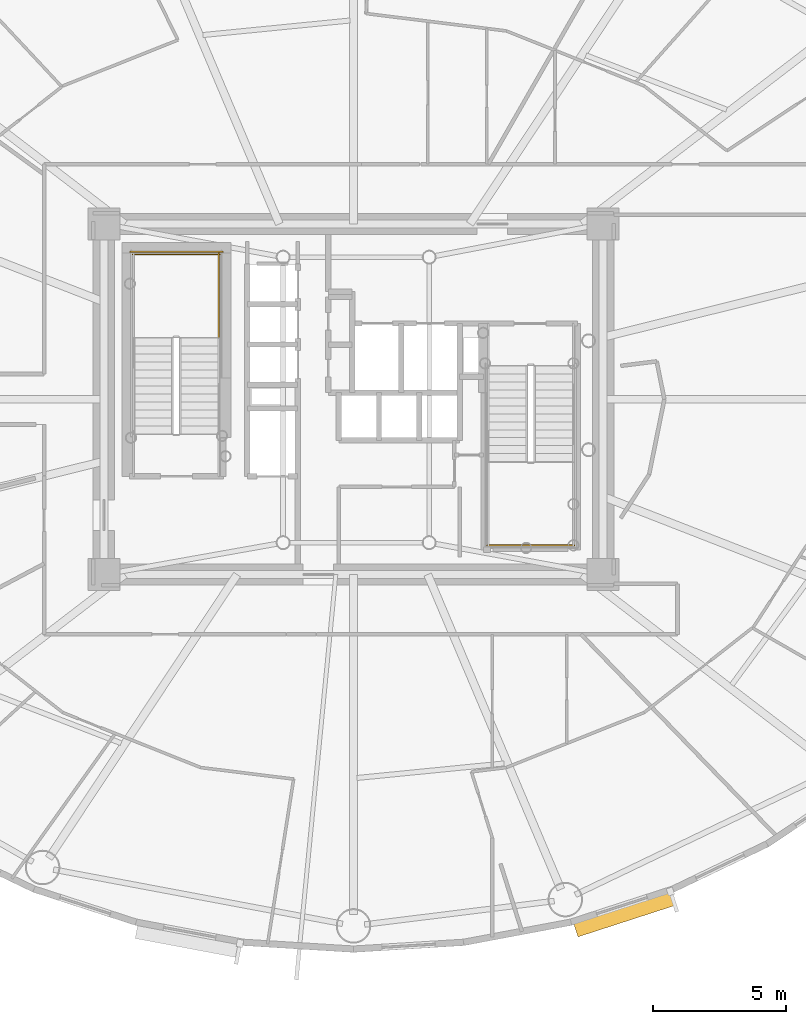
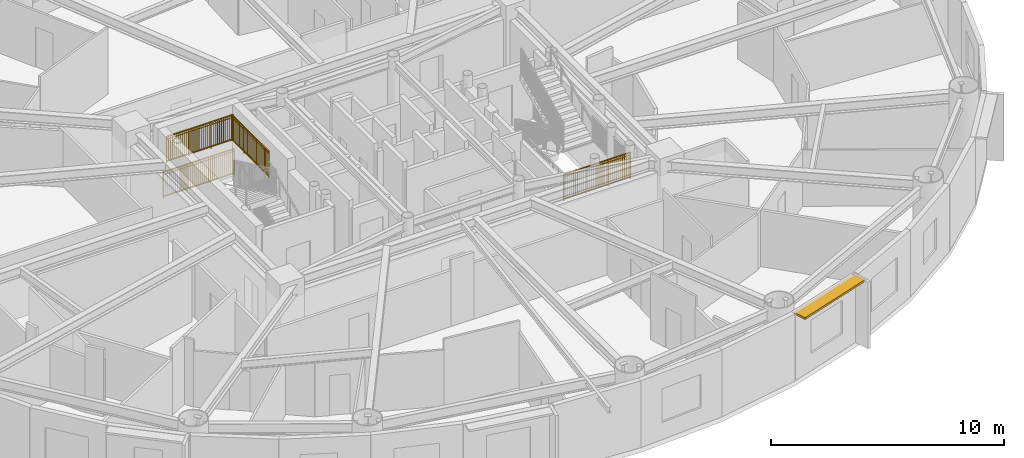
# One storey, part 15 of 17: 4 railings, 1 shading device.
"""IFC4 building model written with IfcOpenShell, lengths in metres."""

from ifc_helpers import new_model, si_unit, direction, frame, origin, origin_2d, place, context, subcontext, project, spatial, rectangle, extrude, source, transform, mapped, material, layer, layer_set, type_object, element, save


model = new_model("IFC4")

# Units and contexts
model_context = context("Model", 3, precision=1e-05, world=origin(), true_north=direction((0.0, 1.0)))
body_context = subcontext(model_context, "Body", "Model", "MODEL_VIEW")
ifc_project = project(units=[si_unit("LENGTHUNIT", "METRE"), si_unit("AREAUNIT", "SQUARE_METRE"), si_unit("VOLUMEUNIT", "CUBIC_METRE"), si_unit("PLANEANGLEUNIT", "RADIAN"), si_unit("MASSUNIT", "GRAM", prefix="KILO")], contexts=[model_context])

# Site, building, storey
site_placement = place(None, origin())
site = spatial("IfcSite", under=ifc_project, at=site_placement, CompositionType="ELEMENT")
building_placement = place(site_placement, origin())
building = spatial("IfcBuilding", under=site, at=building_placement, Name="Linh Dai School and Residence Tower", CompositionType="ELEMENT")
storey_placement = place(building_placement, frame((0.0, 0.0, 197.39990234375)))
storey = spatial("IfcBuildingStorey", under=building, at=storey_placement, Name="L48", CompositionType="ELEMENT", Elevation=197.39990234375)

# Shading device
ifc_material_1 = material(Name="Terracotta Ceramic Sunshade", Category="masonry")
ifc_layer = layer(ifc_material_1, 0.10009765625)
ifc_layer_set = layer_set([ifc_layer], Name="Terracotta Ceramic Sunshade")
shading_device_type = type_object("IfcShadingDeviceType", Name="SHD-TC-650", PredefinedType="USERDEFINED", material=ifc_layer_set)
shared_shape_1 = source(origin(), body_context, "Body", "SweptSolid", [
    extrude(rectangle(XDim=3.876220703125, YDim=0.64990234375, at=origin_2d()), origin(), (0.0, 0.0, 1.0), 0.10009765625),
])
shading_device_placement = place(storey_placement, frame((46.197265625, 7.662353515625, 3.380126953125), z_axis=(0.0, 0.0, 1.0), x_axis=(-0.951212761419, -0.308535707031, 0.0)))
element("IfcShadingDevice", 1, at=shading_device_placement, inside=storey, type_object=shading_device_type, Name="L48 Terracotta Horizontal Sunshade Band 33", ObjectType="SUNSHADE", PredefinedType="USERDEFINED", context=body_context, shape_type="MappedRepresentation", body=[
    mapped(shared_shape_1, transform((0.0, 0.0, 0.0), x_axis=(1.0, 0.0, 0.0), y_axis=(0.0, 1.0, 0.0), z_axis=(0.0, 0.0, 1.0), scale=1.0)),
])

# Railings
ifc_material_2 = material(Name="Structural Steel S355JR", Category="steel")
railing_type = type_object("IfcRailingType", Name="RL-ST-GUARD-1400", PredefinedType="GUARDRAIL", material=ifc_material_2)
shared_shape_2 = source(origin(), body_context, "Body", "SweptSolid", [
    extrude(rectangle(XDim=0.048095703125, YDim=0.048095703125, at=origin_2d()), frame((0.0, 0.0, 1.3759765625), z_axis=(-1.0, 0.0, 0.0), x_axis=(0.0, -1.0, 0.0)), (0.0, 0.0, 1.0), 3.300048828125),
    extrude(rectangle(XDim=0.048095703125, YDim=0.048095703125, at=origin_2d()), frame((0.0, 0.0, 0.10009765625), z_axis=(-1.0, 0.0, 0.0), x_axis=(0.0, -1.0, 0.0)), (0.0, 0.0, 1.0), 3.300048828125),
    extrude(rectangle(XDim=0.030029296875, YDim=0.030029296875, at=origin_2d()), frame((0.0, 0.0, 1.239990234375), z_axis=(-1.0, 0.0, 0.0), x_axis=(0.0, -1.0, 0.0)), (0.0, 0.0, 1.0), 3.300048828125),
    extrude(rectangle(XDim=0.02001953125, YDim=0.02001953125, at=origin_2d()), frame((-0.09716796875, 0.0, 0.10009765625)), (0.0, 0.0, 1.0), 1.251708984375),
    extrude(rectangle(XDim=0.02001953125, YDim=0.02001953125, at=origin_2d()), frame((-0.194091796875, 0.0, 0.10009765625)), (0.0, 0.0, 1.0), 1.251708984375),
    extrude(rectangle(XDim=0.02001953125, YDim=0.02001953125, at=origin_2d()), frame((-0.291259765625, 0.0, 0.10009765625)), (0.0, 0.0, 1.0), 1.251708984375),
    extrude(rectangle(XDim=0.02001953125, YDim=0.02001953125, at=origin_2d()), frame((-0.38818359375, 0.0, 0.10009765625)), (0.0, 0.0, 1.0), 1.251708984375),
    extrude(rectangle(XDim=0.02001953125, YDim=0.02001953125, at=origin_2d()), frame((-0.4853515625, 0.0, 0.10009765625)), (0.0, 0.0, 1.0), 1.251708984375),
    extrude(rectangle(XDim=0.02001953125, YDim=0.02001953125, at=origin_2d()), frame((-0.582275390625, 0.0, 0.10009765625)), (0.0, 0.0, 1.0), 1.251708984375),
    extrude(rectangle(XDim=0.02001953125, YDim=0.02001953125, at=origin_2d()), frame((-0.679443359375, 0.0, 0.10009765625)), (0.0, 0.0, 1.0), 1.251708984375),
    extrude(rectangle(XDim=0.02001953125, YDim=0.02001953125, at=origin_2d()), frame((-0.7763671875, 0.0, 0.10009765625)), (0.0, 0.0, 1.0), 1.251708984375),
    extrude(rectangle(XDim=0.02001953125, YDim=0.02001953125, at=origin_2d()), frame((-0.87353515625, 0.0, 0.10009765625)), (0.0, 0.0, 1.0), 1.251708984375),
    extrude(rectangle(XDim=0.02001953125, YDim=0.02001953125, at=origin_2d()), frame((-0.970703125, 0.0, 0.10009765625)), (0.0, 0.0, 1.0), 1.251708984375),
    extrude(rectangle(XDim=0.02001953125, YDim=0.02001953125, at=origin_2d()), frame((-1.164794921875, 0.0, 0.10009765625)), (0.0, 0.0, 1.0), 1.251708984375),
    extrude(rectangle(XDim=0.02001953125, YDim=0.02001953125, at=origin_2d()), frame((-1.26171875, 0.0, 0.10009765625)), (0.0, 0.0, 1.0), 1.251708984375),
    extrude(rectangle(XDim=0.02001953125, YDim=0.02001953125, at=origin_2d()), frame((-1.35888671875, 0.0, 0.10009765625)), (0.0, 0.0, 1.0), 1.251708984375),
    extrude(rectangle(XDim=0.02001953125, YDim=0.02001953125, at=origin_2d()), frame((-1.455810546875, 0.0, 0.10009765625)), (0.0, 0.0, 1.0), 1.251708984375),
    extrude(rectangle(XDim=0.02001953125, YDim=0.02001953125, at=origin_2d()), frame((-1.552978515625, 0.0, 0.10009765625)), (0.0, 0.0, 1.0), 1.251708984375),
    extrude(rectangle(XDim=0.02001953125, YDim=0.02001953125, at=origin_2d()), frame((-1.64990234375, 0.0, 0.10009765625)), (0.0, 0.0, 1.0), 1.251708984375),
    extrude(rectangle(XDim=0.02001953125, YDim=0.02001953125, at=origin_2d()), frame((-1.7470703125, 0.0, 0.10009765625)), (0.0, 0.0, 1.0), 1.251708984375),
    extrude(rectangle(XDim=0.02001953125, YDim=0.02001953125, at=origin_2d()), frame((-1.84423828125, 0.0, 0.10009765625)), (0.0, 0.0, 1.0), 1.251708984375),
    extrude(rectangle(XDim=0.02001953125, YDim=0.02001953125, at=origin_2d()), frame((-1.941162109375, 0.0, 0.10009765625)), (0.0, 0.0, 1.0), 1.251708984375),
    extrude(rectangle(XDim=0.02001953125, YDim=0.02001953125, at=origin_2d()), frame((-2.038330078125, 0.0, 0.10009765625)), (0.0, 0.0, 1.0), 1.251708984375),
    extrude(rectangle(XDim=0.02001953125, YDim=0.02001953125, at=origin_2d()), frame((-2.13525390625, 0.0, 0.10009765625)), (0.0, 0.0, 1.0), 1.251708984375),
    extrude(rectangle(XDim=0.02001953125, YDim=0.02001953125, at=origin_2d()), frame((-2.329345703125, 0.0, 0.10009765625)), (0.0, 0.0, 1.0), 1.251708984375),
    extrude(rectangle(XDim=0.02001953125, YDim=0.02001953125, at=origin_2d()), frame((-2.426513671875, 0.0, 0.10009765625)), (0.0, 0.0, 1.0), 1.251708984375),
    extrude(rectangle(XDim=0.02001953125, YDim=0.02001953125, at=origin_2d()), frame((-2.523681640625, 0.0, 0.10009765625)), (0.0, 0.0, 1.0), 1.251708984375),
    extrude(rectangle(XDim=0.02001953125, YDim=0.02001953125, at=origin_2d()), frame((-2.62060546875, 0.0, 0.10009765625)), (0.0, 0.0, 1.0), 1.251708984375),
    extrude(rectangle(XDim=0.02001953125, YDim=0.02001953125, at=origin_2d()), frame((-2.7177734375, 0.0, 0.10009765625)), (0.0, 0.0, 1.0), 1.251708984375),
    extrude(rectangle(XDim=0.02001953125, YDim=0.02001953125, at=origin_2d()), frame((-2.814697265625, 0.0, 0.10009765625)), (0.0, 0.0, 1.0), 1.251708984375),
    extrude(rectangle(XDim=0.02001953125, YDim=0.02001953125, at=origin_2d()), frame((-2.911865234375, 0.0, 0.10009765625)), (0.0, 0.0, 1.0), 1.251708984375),
    extrude(rectangle(XDim=0.02001953125, YDim=0.02001953125, at=origin_2d()), frame((-3.0087890625, 0.0, 0.10009765625)), (0.0, 0.0, 1.0), 1.251708984375),
    extrude(rectangle(XDim=0.02001953125, YDim=0.02001953125, at=origin_2d()), frame((-3.10595703125, 0.0, 0.10009765625)), (0.0, 0.0, 1.0), 1.251708984375),
    extrude(rectangle(XDim=0.02001953125, YDim=0.02001953125, at=origin_2d()), frame((-3.202880859375, 0.0, 0.10009765625)), (0.0, 0.0, 1.0), 1.251708984375),
    extrude(rectangle(XDim=0.0419921875, YDim=0.0419921875, at=origin_2d()), origin(), (0.0, 0.0, 1.0), 1.3759765625),
    extrude(rectangle(XDim=0.0419921875, YDim=0.0419921875, at=origin_2d()), frame((-1.10009765625, 0.0, 0.0)), (0.0, 0.0, 1.0), 1.3759765625),
    extrude(rectangle(XDim=0.0419921875, YDim=0.0419921875, at=origin_2d()), frame((-2.199951171875, 0.0, 0.0)), (0.0, 0.0, 1.0), 1.3759765625),
    extrude(rectangle(XDim=0.0419921875, YDim=0.0419921875, at=origin_2d()), frame((-3.300048828125, 0.0, 0.0)), (0.0, 0.0, 1.0), 1.3759765625),
])
railing_1_placement = place(storey_placement, frame((30.97998046875, 32.449951171875, 1.875)))
element("IfcRailing", 2, at=railing_1_placement, inside=storey, type_object=railing_type, Name="L48 ST1 stair guard 5", PredefinedType="GUARDRAIL", context=body_context, shape_type="MappedRepresentation", body=[
    mapped(shared_shape_2, transform((0.0, 0.0, 0.0), x_axis=(1.0, 0.0, 0.0), y_axis=(0.0, 1.0, 0.0), z_axis=(0.0, 0.0, 1.0), scale=1.0)),
])
shared_shape_3 = source(origin(), body_context, "Body", "SweptSolid", [
    extrude(rectangle(XDim=0.048095703125, YDim=0.048095703125, at=origin_2d()), frame((0.0, 0.0, 1.3759765625), z_axis=(-1.0, 0.0, 0.0), x_axis=(0.0, -1.0, 0.0)), (0.0, 0.0, 1.0), 3.5),
    extrude(rectangle(XDim=0.048095703125, YDim=0.048095703125, at=origin_2d()), frame((0.0, 0.0, 0.10009765625), z_axis=(-1.0, 0.0, 0.0), x_axis=(0.0, -1.0, 0.0)), (0.0, 0.0, 1.0), 3.5),
    extrude(rectangle(XDim=0.030029296875, YDim=0.030029296875, at=origin_2d()), frame((0.0, 0.0, 1.239990234375), z_axis=(-1.0, 0.0, 0.0), x_axis=(0.0, -1.0, 0.0)), (0.0, 0.0, 1.0), 3.5),
    extrude(rectangle(XDim=0.02001953125, YDim=0.02001953125, at=origin_2d()), frame((-0.09716796875, 0.0, 0.10009765625)), (0.0, 0.0, 1.0), 1.251708984375),
    extrude(rectangle(XDim=0.02001953125, YDim=0.02001953125, at=origin_2d()), frame((-0.1943359375, 0.0, 0.10009765625)), (0.0, 0.0, 1.0), 1.251708984375),
    extrude(rectangle(XDim=0.02001953125, YDim=0.02001953125, at=origin_2d()), frame((-0.291748046875, 0.0, 0.10009765625)), (0.0, 0.0, 1.0), 1.251708984375),
    extrude(rectangle(XDim=0.02001953125, YDim=0.02001953125, at=origin_2d()), frame((-0.388916015625, 0.0, 0.10009765625)), (0.0, 0.0, 1.0), 1.251708984375),
    extrude(rectangle(XDim=0.02001953125, YDim=0.02001953125, at=origin_2d()), frame((-0.486083984375, 0.0, 0.10009765625)), (0.0, 0.0, 1.0), 1.251708984375),
    extrude(rectangle(XDim=0.02001953125, YDim=0.02001953125, at=origin_2d()), frame((-0.583251953125, 0.0, 0.10009765625)), (0.0, 0.0, 1.0), 1.251708984375),
    extrude(rectangle(XDim=0.02001953125, YDim=0.02001953125, at=origin_2d()), frame((-0.6806640625, 0.0, 0.10009765625)), (0.0, 0.0, 1.0), 1.251708984375),
    extrude(rectangle(XDim=0.02001953125, YDim=0.02001953125, at=origin_2d()), frame((-0.77783203125, 0.0, 0.10009765625)), (0.0, 0.0, 1.0), 1.251708984375),
    extrude(rectangle(XDim=0.02001953125, YDim=0.02001953125, at=origin_2d()), frame((-0.875, 0.0, 0.10009765625)), (0.0, 0.0, 1.0), 1.251708984375),
    extrude(rectangle(XDim=0.02001953125, YDim=0.02001953125, at=origin_2d()), frame((-0.97216796875, 0.0, 0.10009765625)), (0.0, 0.0, 1.0), 1.251708984375),
    extrude(rectangle(XDim=0.02001953125, YDim=0.02001953125, at=origin_2d()), frame((-1.0693359375, 0.0, 0.10009765625)), (0.0, 0.0, 1.0), 1.251708984375),
    extrude(rectangle(XDim=0.02001953125, YDim=0.02001953125, at=origin_2d()), frame((-1.263916015625, 0.0, 0.10009765625)), (0.0, 0.0, 1.0), 1.251708984375),
    extrude(rectangle(XDim=0.02001953125, YDim=0.02001953125, at=origin_2d()), frame((-1.361083984375, 0.0, 0.10009765625)), (0.0, 0.0, 1.0), 1.251708984375),
    extrude(rectangle(XDim=0.02001953125, YDim=0.02001953125, at=origin_2d()), frame((-1.458251953125, 0.0, 0.10009765625)), (0.0, 0.0, 1.0), 1.251708984375),
    extrude(rectangle(XDim=0.02001953125, YDim=0.02001953125, at=origin_2d()), frame((-1.5556640625, 0.0, 0.10009765625)), (0.0, 0.0, 1.0), 1.251708984375),
    extrude(rectangle(XDim=0.02001953125, YDim=0.02001953125, at=origin_2d()), frame((-1.65283203125, 0.0, 0.10009765625)), (0.0, 0.0, 1.0), 1.251708984375),
    extrude(rectangle(XDim=0.02001953125, YDim=0.02001953125, at=origin_2d()), frame((-1.75, 0.0, 0.10009765625)), (0.0, 0.0, 1.0), 1.251708984375),
    extrude(rectangle(XDim=0.02001953125, YDim=0.02001953125, at=origin_2d()), frame((-1.84716796875, 0.0, 0.10009765625)), (0.0, 0.0, 1.0), 1.251708984375),
    extrude(rectangle(XDim=0.02001953125, YDim=0.02001953125, at=origin_2d()), frame((-1.9443359375, 0.0, 0.10009765625)), (0.0, 0.0, 1.0), 1.251708984375),
    extrude(rectangle(XDim=0.02001953125, YDim=0.02001953125, at=origin_2d()), frame((-2.041748046875, 0.0, 0.10009765625)), (0.0, 0.0, 1.0), 1.251708984375),
    extrude(rectangle(XDim=0.02001953125, YDim=0.02001953125, at=origin_2d()), frame((-2.138916015625, 0.0, 0.10009765625)), (0.0, 0.0, 1.0), 1.251708984375),
    extrude(rectangle(XDim=0.02001953125, YDim=0.02001953125, at=origin_2d()), frame((-2.236083984375, 0.0, 0.10009765625)), (0.0, 0.0, 1.0), 1.251708984375),
    extrude(rectangle(XDim=0.02001953125, YDim=0.02001953125, at=origin_2d()), frame((-2.4306640625, 0.0, 0.10009765625)), (0.0, 0.0, 1.0), 1.251708984375),
    extrude(rectangle(XDim=0.02001953125, YDim=0.02001953125, at=origin_2d()), frame((-2.52783203125, 0.0, 0.10009765625)), (0.0, 0.0, 1.0), 1.251708984375),
    extrude(rectangle(XDim=0.02001953125, YDim=0.02001953125, at=origin_2d()), frame((-2.625, 0.0, 0.10009765625)), (0.0, 0.0, 1.0), 1.251708984375),
    extrude(rectangle(XDim=0.02001953125, YDim=0.02001953125, at=origin_2d()), frame((-2.72216796875, 0.0, 0.10009765625)), (0.0, 0.0, 1.0), 1.251708984375),
    extrude(rectangle(XDim=0.02001953125, YDim=0.02001953125, at=origin_2d()), frame((-2.8193359375, 0.0, 0.10009765625)), (0.0, 0.0, 1.0), 1.251708984375),
    extrude(rectangle(XDim=0.02001953125, YDim=0.02001953125, at=origin_2d()), frame((-2.916748046875, 0.0, 0.10009765625)), (0.0, 0.0, 1.0), 1.251708984375),
    extrude(rectangle(XDim=0.02001953125, YDim=0.02001953125, at=origin_2d()), frame((-3.013916015625, 0.0, 0.10009765625)), (0.0, 0.0, 1.0), 1.251708984375),
    extrude(rectangle(XDim=0.02001953125, YDim=0.02001953125, at=origin_2d()), frame((-3.111083984375, 0.0, 0.10009765625)), (0.0, 0.0, 1.0), 1.251708984375),
    extrude(rectangle(XDim=0.02001953125, YDim=0.02001953125, at=origin_2d()), frame((-3.208251953125, 0.0, 0.10009765625)), (0.0, 0.0, 1.0), 1.251708984375),
    extrude(rectangle(XDim=0.02001953125, YDim=0.02001953125, at=origin_2d()), frame((-3.3056640625, 0.0, 0.10009765625)), (0.0, 0.0, 1.0), 1.251708984375),
    extrude(rectangle(XDim=0.02001953125, YDim=0.02001953125, at=origin_2d()), frame((-3.40283203125, 0.0, 0.10009765625)), (0.0, 0.0, 1.0), 1.251708984375),
    extrude(rectangle(XDim=0.0419921875, YDim=0.0419921875, at=origin_2d()), origin(), (0.0, 0.0, 1.0), 1.3759765625),
    extrude(rectangle(XDim=0.0419921875, YDim=0.0419921875, at=origin_2d()), frame((-1.166748046875, 0.0, 0.0)), (0.0, 0.0, 1.0), 1.3759765625),
    extrude(rectangle(XDim=0.0419921875, YDim=0.0419921875, at=origin_2d()), frame((-2.333251953125, 0.0, 0.0)), (0.0, 0.0, 1.0), 1.3759765625),
    extrude(rectangle(XDim=0.0419921875, YDim=0.0419921875, at=origin_2d()), frame((-3.5, 0.0, 0.0)), (0.0, 0.0, 1.0), 1.3759765625),
])
railing_2_placement = place(storey_placement, frame((31.080078125, 32.550048828125, 0.0)))
element("IfcRailing", 3, at=railing_2_placement, inside=storey, type_object=railing_type, Name="L48 ST1 stair guard 12", PredefinedType="GUARDRAIL", context=body_context, shape_type="MappedRepresentation", body=[
    mapped(shared_shape_3, transform((0.0, 0.0, 0.0), x_axis=(1.0, 0.0, 0.0), y_axis=(0.0, 1.0, 0.0), z_axis=(0.0, 0.0, 1.0), scale=1.0)),
])
shared_shape_4 = source(origin(), body_context, "Body", "SweptSolid", [
    extrude(rectangle(XDim=0.048095703125, YDim=0.048095703125, at=origin_2d()), frame((0.0, 0.0, 1.3759765625), z_axis=(0.0, 1.0, 0.0), x_axis=(-1.0, 0.0, 0.0)), (0.0, 0.0, 1.0), 3.199951171875),
    extrude(rectangle(XDim=0.048095703125, YDim=0.048095703125, at=origin_2d()), frame((0.0, 0.0, 0.10009765625), z_axis=(0.0, 1.0, 0.0), x_axis=(-1.0, 0.0, 0.0)), (0.0, 0.0, 1.0), 3.199951171875),
    extrude(rectangle(XDim=0.030029296875, YDim=0.030029296875, at=origin_2d()), frame((0.0, 0.0, 1.239990234375), z_axis=(0.0, 1.0, 0.0), x_axis=(-1.0, 0.0, 0.0)), (0.0, 0.0, 1.0), 3.199951171875),
    extrude(rectangle(XDim=0.02001953125, YDim=0.02001953125, at=origin_2d()), frame((0.0, 0.096923828125, 0.10009765625)), (0.0, 0.0, 1.0), 1.251708984375),
    extrude(rectangle(XDim=0.02001953125, YDim=0.02001953125, at=origin_2d()), frame((0.0, 0.19384765625, 0.10009765625)), (0.0, 0.0, 1.0), 1.251708984375),
    extrude(rectangle(XDim=0.02001953125, YDim=0.02001953125, at=origin_2d()), frame((0.0, 0.291015625, 0.10009765625)), (0.0, 0.0, 1.0), 1.251708984375),
    extrude(rectangle(XDim=0.02001953125, YDim=0.02001953125, at=origin_2d()), frame((0.0, 0.387939453125, 0.10009765625)), (0.0, 0.0, 1.0), 1.251708984375),
    extrude(rectangle(XDim=0.02001953125, YDim=0.02001953125, at=origin_2d()), frame((0.0, 0.48486328125, 0.10009765625)), (0.0, 0.0, 1.0), 1.251708984375),
    extrude(rectangle(XDim=0.02001953125, YDim=0.02001953125, at=origin_2d()), frame((0.0, 0.581787109375, 0.10009765625)), (0.0, 0.0, 1.0), 1.251708984375),
    extrude(rectangle(XDim=0.02001953125, YDim=0.02001953125, at=origin_2d()), frame((0.0, 0.6787109375, 0.10009765625)), (0.0, 0.0, 1.0), 1.251708984375),
    extrude(rectangle(XDim=0.02001953125, YDim=0.02001953125, at=origin_2d()), frame((0.0, 0.775634765625, 0.10009765625)), (0.0, 0.0, 1.0), 1.251708984375),
    extrude(rectangle(XDim=0.02001953125, YDim=0.02001953125, at=origin_2d()), frame((0.0, 0.872802734375, 0.10009765625)), (0.0, 0.0, 1.0), 1.251708984375),
    extrude(rectangle(XDim=0.02001953125, YDim=0.02001953125, at=origin_2d()), frame((0.0, 0.9697265625, 0.10009765625)), (0.0, 0.0, 1.0), 1.251708984375),
    extrude(rectangle(XDim=0.02001953125, YDim=0.02001953125, at=origin_2d()), frame((0.0, 1.16357421875, 0.10009765625)), (0.0, 0.0, 1.0), 1.251708984375),
    extrude(rectangle(XDim=0.02001953125, YDim=0.02001953125, at=origin_2d()), frame((0.0, 1.260498046875, 0.10009765625)), (0.0, 0.0, 1.0), 1.251708984375),
    extrude(rectangle(XDim=0.02001953125, YDim=0.02001953125, at=origin_2d()), frame((0.0, 1.357666015625, 0.10009765625)), (0.0, 0.0, 1.0), 1.251708984375),
    extrude(rectangle(XDim=0.02001953125, YDim=0.02001953125, at=origin_2d()), frame((0.0, 1.45458984375, 0.10009765625)), (0.0, 0.0, 1.0), 1.251708984375),
    extrude(rectangle(XDim=0.02001953125, YDim=0.02001953125, at=origin_2d()), frame((0.0, 1.551513671875, 0.10009765625)), (0.0, 0.0, 1.0), 1.251708984375),
    extrude(rectangle(XDim=0.02001953125, YDim=0.02001953125, at=origin_2d()), frame((0.0, 1.6484375, 0.10009765625)), (0.0, 0.0, 1.0), 1.251708984375),
    extrude(rectangle(XDim=0.02001953125, YDim=0.02001953125, at=origin_2d()), frame((0.0, 1.745361328125, 0.10009765625)), (0.0, 0.0, 1.0), 1.251708984375),
    extrude(rectangle(XDim=0.02001953125, YDim=0.02001953125, at=origin_2d()), frame((0.0, 1.84228515625, 0.10009765625)), (0.0, 0.0, 1.0), 1.251708984375),
    extrude(rectangle(XDim=0.02001953125, YDim=0.02001953125, at=origin_2d()), frame((0.0, 1.939453125, 0.10009765625)), (0.0, 0.0, 1.0), 1.251708984375),
    extrude(rectangle(XDim=0.02001953125, YDim=0.02001953125, at=origin_2d()), frame((0.0, 2.036376953125, 0.10009765625)), (0.0, 0.0, 1.0), 1.251708984375),
    extrude(rectangle(XDim=0.02001953125, YDim=0.02001953125, at=origin_2d()), frame((0.0, 2.230224609375, 0.10009765625)), (0.0, 0.0, 1.0), 1.251708984375),
    extrude(rectangle(XDim=0.02001953125, YDim=0.02001953125, at=origin_2d()), frame((0.0, 2.3271484375, 0.10009765625)), (0.0, 0.0, 1.0), 1.251708984375),
    extrude(rectangle(XDim=0.02001953125, YDim=0.02001953125, at=origin_2d()), frame((0.0, 2.42431640625, 0.10009765625)), (0.0, 0.0, 1.0), 1.251708984375),
    extrude(rectangle(XDim=0.02001953125, YDim=0.02001953125, at=origin_2d()), frame((0.0, 2.521240234375, 0.10009765625)), (0.0, 0.0, 1.0), 1.251708984375),
    extrude(rectangle(XDim=0.02001953125, YDim=0.02001953125, at=origin_2d()), frame((0.0, 2.6181640625, 0.10009765625)), (0.0, 0.0, 1.0), 1.251708984375),
    extrude(rectangle(XDim=0.02001953125, YDim=0.02001953125, at=origin_2d()), frame((0.0, 2.715087890625, 0.10009765625)), (0.0, 0.0, 1.0), 1.251708984375),
    extrude(rectangle(XDim=0.02001953125, YDim=0.02001953125, at=origin_2d()), frame((0.0, 2.81201171875, 0.10009765625)), (0.0, 0.0, 1.0), 1.251708984375),
    extrude(rectangle(XDim=0.02001953125, YDim=0.02001953125, at=origin_2d()), frame((0.0, 2.908935546875, 0.10009765625)), (0.0, 0.0, 1.0), 1.251708984375),
    extrude(rectangle(XDim=0.02001953125, YDim=0.02001953125, at=origin_2d()), frame((0.0, 3.006103515625, 0.10009765625)), (0.0, 0.0, 1.0), 1.251708984375),
    extrude(rectangle(XDim=0.02001953125, YDim=0.02001953125, at=origin_2d()), frame((0.0, 3.10302734375, 0.10009765625)), (0.0, 0.0, 1.0), 1.251708984375),
    extrude(rectangle(XDim=0.0419921875, YDim=0.0419921875, at=origin_2d()), origin(), (0.0, 0.0, 1.0), 1.3759765625),
    extrude(rectangle(XDim=0.0419921875, YDim=0.0419921875, at=origin_2d()), frame((0.0, 1.066650390625, 0.0)), (0.0, 0.0, 1.0), 1.3759765625),
    extrude(rectangle(XDim=0.0419921875, YDim=0.0419921875, at=origin_2d()), frame((0.0, 2.13330078125, 0.0)), (0.0, 0.0, 1.0), 1.3759765625),
    extrude(rectangle(XDim=0.0419921875, YDim=0.0419921875, at=origin_2d()), frame((0.0, 3.199951171875, 0.0)), (0.0, 0.0, 1.0), 1.3759765625),
])
railing_3_placement = place(storey_placement, frame((30.929931640625, 29.300048828125, 1.875)))
element("IfcRailing", 4, at=railing_3_placement, inside=storey, type_object=railing_type, Name="L48 ST1 stair guard 3", PredefinedType="GUARDRAIL", context=body_context, shape_type="MappedRepresentation", body=[
    mapped(shared_shape_4, transform((0.0, 0.0, 0.0), x_axis=(1.0, 0.0, 0.0), y_axis=(0.0, 1.0, 0.0), z_axis=(0.0, 0.0, 1.0), scale=1.0)),
])
shared_shape_5 = source(origin(), body_context, "Body", "SweptSolid", [
    extrude(rectangle(XDim=0.048095703125, YDim=0.048095703125, at=origin_2d()), frame((0.0, 0.0, 1.3759765625), z_axis=(1.0, 0.0, 0.0), x_axis=(0.0, 1.0, 0.0)), (0.0, 0.0, 1.0), 3.300048828125),
    extrude(rectangle(XDim=0.048095703125, YDim=0.048095703125, at=origin_2d()), frame((0.0, 0.0, 0.10009765625), z_axis=(1.0, 0.0, 0.0), x_axis=(0.0, 1.0, 0.0)), (0.0, 0.0, 1.0), 3.300048828125),
    extrude(rectangle(XDim=0.030029296875, YDim=0.030029296875, at=origin_2d()), frame((0.0, 0.0, 1.239990234375), z_axis=(1.0, 0.0, 0.0), x_axis=(0.0, 1.0, 0.0)), (0.0, 0.0, 1.0), 3.300048828125),
    extrude(rectangle(XDim=0.02001953125, YDim=0.02001953125, at=origin_2d()), frame((0.09716796875, 0.0, 0.10009765625)), (0.0, 0.0, 1.0), 1.251708984375),
    extrude(rectangle(XDim=0.02001953125, YDim=0.02001953125, at=origin_2d()), frame((0.194091796875, 0.0, 0.10009765625)), (0.0, 0.0, 1.0), 1.251708984375),
    extrude(rectangle(XDim=0.02001953125, YDim=0.02001953125, at=origin_2d()), frame((0.291259765625, 0.0, 0.10009765625)), (0.0, 0.0, 1.0), 1.251708984375),
    extrude(rectangle(XDim=0.02001953125, YDim=0.02001953125, at=origin_2d()), frame((0.38818359375, 0.0, 0.10009765625)), (0.0, 0.0, 1.0), 1.251708984375),
    extrude(rectangle(XDim=0.02001953125, YDim=0.02001953125, at=origin_2d()), frame((0.4853515625, 0.0, 0.10009765625)), (0.0, 0.0, 1.0), 1.251708984375),
    extrude(rectangle(XDim=0.02001953125, YDim=0.02001953125, at=origin_2d()), frame((0.582275390625, 0.0, 0.10009765625)), (0.0, 0.0, 1.0), 1.251708984375),
    extrude(rectangle(XDim=0.02001953125, YDim=0.02001953125, at=origin_2d()), frame((0.679443359375, 0.0, 0.10009765625)), (0.0, 0.0, 1.0), 1.251708984375),
    extrude(rectangle(XDim=0.02001953125, YDim=0.02001953125, at=origin_2d()), frame((0.7763671875, 0.0, 0.10009765625)), (0.0, 0.0, 1.0), 1.251708984375),
    extrude(rectangle(XDim=0.02001953125, YDim=0.02001953125, at=origin_2d()), frame((0.87353515625, 0.0, 0.10009765625)), (0.0, 0.0, 1.0), 1.251708984375),
    extrude(rectangle(XDim=0.02001953125, YDim=0.02001953125, at=origin_2d()), frame((0.970703125, 0.0, 0.10009765625)), (0.0, 0.0, 1.0), 1.251708984375),
    extrude(rectangle(XDim=0.02001953125, YDim=0.02001953125, at=origin_2d()), frame((1.164794921875, 0.0, 0.10009765625)), (0.0, 0.0, 1.0), 1.251708984375),
    extrude(rectangle(XDim=0.02001953125, YDim=0.02001953125, at=origin_2d()), frame((1.26171875, 0.0, 0.10009765625)), (0.0, 0.0, 1.0), 1.251708984375),
    extrude(rectangle(XDim=0.02001953125, YDim=0.02001953125, at=origin_2d()), frame((1.35888671875, 0.0, 0.10009765625)), (0.0, 0.0, 1.0), 1.251708984375),
    extrude(rectangle(XDim=0.02001953125, YDim=0.02001953125, at=origin_2d()), frame((1.455810546875, 0.0, 0.10009765625)), (0.0, 0.0, 1.0), 1.251708984375),
    extrude(rectangle(XDim=0.02001953125, YDim=0.02001953125, at=origin_2d()), frame((1.552978515625, 0.0, 0.10009765625)), (0.0, 0.0, 1.0), 1.251708984375),
    extrude(rectangle(XDim=0.02001953125, YDim=0.02001953125, at=origin_2d()), frame((1.64990234375, 0.0, 0.10009765625)), (0.0, 0.0, 1.0), 1.251708984375),
    extrude(rectangle(XDim=0.02001953125, YDim=0.02001953125, at=origin_2d()), frame((1.7470703125, 0.0, 0.10009765625)), (0.0, 0.0, 1.0), 1.251708984375),
    extrude(rectangle(XDim=0.02001953125, YDim=0.02001953125, at=origin_2d()), frame((1.84423828125, 0.0, 0.10009765625)), (0.0, 0.0, 1.0), 1.251708984375),
    extrude(rectangle(XDim=0.02001953125, YDim=0.02001953125, at=origin_2d()), frame((1.941162109375, 0.0, 0.10009765625)), (0.0, 0.0, 1.0), 1.251708984375),
    extrude(rectangle(XDim=0.02001953125, YDim=0.02001953125, at=origin_2d()), frame((2.038330078125, 0.0, 0.10009765625)), (0.0, 0.0, 1.0), 1.251708984375),
    extrude(rectangle(XDim=0.02001953125, YDim=0.02001953125, at=origin_2d()), frame((2.13525390625, 0.0, 0.10009765625)), (0.0, 0.0, 1.0), 1.251708984375),
    extrude(rectangle(XDim=0.02001953125, YDim=0.02001953125, at=origin_2d()), frame((2.329345703125, 0.0, 0.10009765625)), (0.0, 0.0, 1.0), 1.251708984375),
    extrude(rectangle(XDim=0.02001953125, YDim=0.02001953125, at=origin_2d()), frame((2.426513671875, 0.0, 0.10009765625)), (0.0, 0.0, 1.0), 1.251708984375),
    extrude(rectangle(XDim=0.02001953125, YDim=0.02001953125, at=origin_2d()), frame((2.523681640625, 0.0, 0.10009765625)), (0.0, 0.0, 1.0), 1.251708984375),
    extrude(rectangle(XDim=0.02001953125, YDim=0.02001953125, at=origin_2d()), frame((2.62060546875, 0.0, 0.10009765625)), (0.0, 0.0, 1.0), 1.251708984375),
    extrude(rectangle(XDim=0.02001953125, YDim=0.02001953125, at=origin_2d()), frame((2.7177734375, 0.0, 0.10009765625)), (0.0, 0.0, 1.0), 1.251708984375),
    extrude(rectangle(XDim=0.02001953125, YDim=0.02001953125, at=origin_2d()), frame((2.814697265625, 0.0, 0.10009765625)), (0.0, 0.0, 1.0), 1.251708984375),
    extrude(rectangle(XDim=0.02001953125, YDim=0.02001953125, at=origin_2d()), frame((2.911865234375, 0.0, 0.10009765625)), (0.0, 0.0, 1.0), 1.251708984375),
    extrude(rectangle(XDim=0.02001953125, YDim=0.02001953125, at=origin_2d()), frame((3.0087890625, 0.0, 0.10009765625)), (0.0, 0.0, 1.0), 1.251708984375),
    extrude(rectangle(XDim=0.02001953125, YDim=0.02001953125, at=origin_2d()), frame((3.10595703125, 0.0, 0.10009765625)), (0.0, 0.0, 1.0), 1.251708984375),
    extrude(rectangle(XDim=0.02001953125, YDim=0.02001953125, at=origin_2d()), frame((3.202880859375, 0.0, 0.10009765625)), (0.0, 0.0, 1.0), 1.251708984375),
    extrude(rectangle(XDim=0.0419921875, YDim=0.0419921875, at=origin_2d()), origin(), (0.0, 0.0, 1.0), 1.3759765625),
    extrude(rectangle(XDim=0.0419921875, YDim=0.0419921875, at=origin_2d()), frame((1.10009765625, 0.0, 0.0)), (0.0, 0.0, 1.0), 1.3759765625),
    extrude(rectangle(XDim=0.0419921875, YDim=0.0419921875, at=origin_2d()), frame((2.199951171875, 0.0, 0.0)), (0.0, 0.0, 1.0), 1.3759765625),
    extrude(rectangle(XDim=0.0419921875, YDim=0.0419921875, at=origin_2d()), frame((3.300048828125, 0.0, 0.0)), (0.0, 0.0, 1.0), 1.3759765625),
])
railing_4_placement = place(storey_placement, frame((41.02001953125, 21.5, 1.875)))
element("IfcRailing", 5, at=railing_4_placement, inside=storey, type_object=railing_type, Name="L48 ST2 stair guard 5", PredefinedType="GUARDRAIL", context=body_context, shape_type="MappedRepresentation", body=[
    mapped(shared_shape_5, transform((0.0, 0.0, 0.0), x_axis=(1.0, 0.0, 0.0), y_axis=(0.0, 1.0, 0.0), z_axis=(0.0, 0.0, 1.0), scale=1.0)),
])

save(model, "model.ifc")
